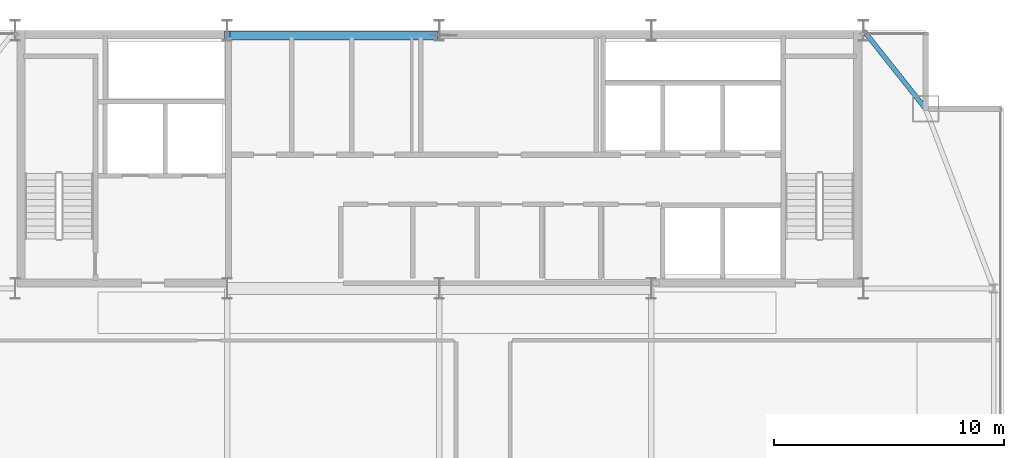
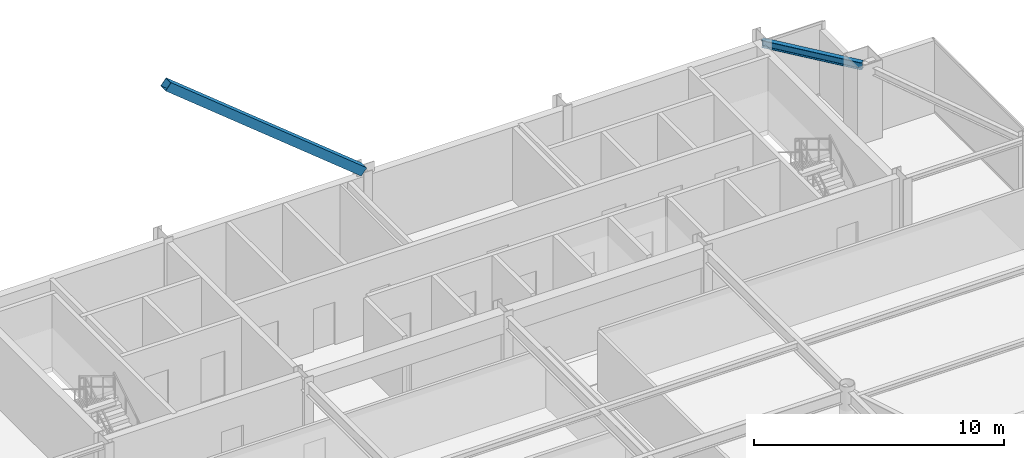
# One storey, part 19 of 27: 1 beam, 1 member.
"""IFC4 building model written with IfcOpenShell, lengths in metres."""

from ifc_helpers import new_model, si_unit, direction, frame, origin, origin_2d, place, context, subcontext, project, spatial, hollow_rectangle, i_section, extrude, source, transform, mapped, material, material_profile, profile_set, type_object, type_shapes, element, save


model = new_model("IFC4")

# Units and contexts
model_context = context("Model", 3, precision=1e-05, world=origin(), true_north=direction((0.0, 1.0)))
body_context = subcontext(model_context, "Body", "Model", "MODEL_VIEW")
ifc_project = project(units=[si_unit("LENGTHUNIT", "METRE"), si_unit("AREAUNIT", "SQUARE_METRE"), si_unit("VOLUMEUNIT", "CUBIC_METRE"), si_unit("PLANEANGLEUNIT", "RADIAN"), si_unit("MASSUNIT", "GRAM", prefix="KILO")], contexts=[model_context])

# Site, building, storey
site_placement = place(None, origin())
site = spatial("IfcSite", under=ifc_project, at=site_placement, CompositionType="ELEMENT")
building_placement = place(site_placement, origin())
building = spatial("IfcBuilding", under=site, at=building_placement, Name="Varnel Quay Broadcast Tower", CompositionType="ELEMENT")
storey_placement = place(building_placement, frame((0.0, 0.0, 243.199951171875)))
storey = spatial("IfcBuildingStorey", under=building, at=storey_placement, Name="L60", CompositionType="ELEMENT", Elevation=243.199951171875)

# Beam
ifc_material = material(Name="Structural Steel CSA G40.21 350W", Category="steel")
ifc_material_profile_1 = material_profile(ifc_material, i_section(OverallWidth=0.205078125, OverallDepth=0.35400390625, WebThickness=0.009521484375, FlangeThickness=0.016845703125, FilletRadius=0.012939453125, at=origin_2d()), Name="W360X79")
ifc_profile_set_1 = profile_set([ifc_material_profile_1], Name="Structural Steel CSA G40.21 350W")
beam_type = type_object("IfcBeamType", Name="Beam_W360X79", PredefinedType="SPANDREL", material=ifc_profile_set_1)
shared_shape_1 = source(origin(), body_context, "Body", "SweptSolid", [
    extrude(i_section(OverallWidth=0.205078125, OverallDepth=0.35400390625, WebThickness=0.009521484375, FlangeThickness=0.016845703125, FilletRadius=0.012939453125, at=origin_2d()), origin(), (0.0, 0.0, 1.0), 4.301513671875),
])
type_shapes(beam_type, [shared_shape_1])
beam_placement = place(storey_placement, frame((52.412353515625, 46.7841796875, 3.373046875), z_axis=(0.621936399401, -0.783067758946, 0.0), x_axis=(0.783067758946, 0.621936399401, 0.0)))
element("IfcBeam", 1, at=beam_placement, inside=storey, type_object=beam_type, Name="L60 NE Tie Spandrel", PredefinedType="SPANDREL", context=body_context, shape_type="MappedRepresentation", body=[
    mapped(shared_shape_1, transform((0.0, 0.0, 0.0), x_axis=(1.0, 0.0, 0.0), y_axis=(0.0, 1.0, 0.0), z_axis=(0.0, 0.0, 1.0), scale=1.0)),
])

# Member
ifc_material_profile_2 = material_profile(ifc_material, hollow_rectangle(XDim=0.406005859375, YDim=0.406005859375, WallThickness=0.01611328125, at=origin_2d()), Name="HSS406X406X16")
ifc_profile_set_2 = profile_set([ifc_material_profile_2], Name="Structural Steel CSA G40.21 350W")
member_type = type_object("IfcMemberType", Name="Brace_HSS406X406X16", PredefinedType="BRACE", material=ifc_profile_set_2)
shared_shape_2 = source(origin(), body_context, "Body", "SweptSolid", [
    extrude(hollow_rectangle(XDim=0.406005859375, YDim=0.406005859375, WallThickness=0.01611328125, at=origin_2d()), origin(), (0.0, 0.0, 1.0), 11.608642578125),
])
type_shapes(member_type, [shared_shape_2])
member_placement = place(storey_placement, frame((33.8193359375, 46.580078125, 3.821533203125), z_axis=(-0.776938680611, 0.0, 0.629576275418), x_axis=(0.0, -1.0, 0.0)))
element("IfcMember", 2, at=member_placement, inside=storey, type_object=member_type, Name="Zone 4 Mega-Brace N-CT3 Split Diag B2", PredefinedType="BRACE", context=body_context, shape_type="MappedRepresentation", body=[
    mapped(shared_shape_2, transform((0.0, 0.0, 0.0), x_axis=(1.0, 0.0, 0.0), y_axis=(0.0, 1.0, 0.0), z_axis=(0.0, 0.0, 1.0), scale=1.0)),
])

save(model, "model.ifc")
